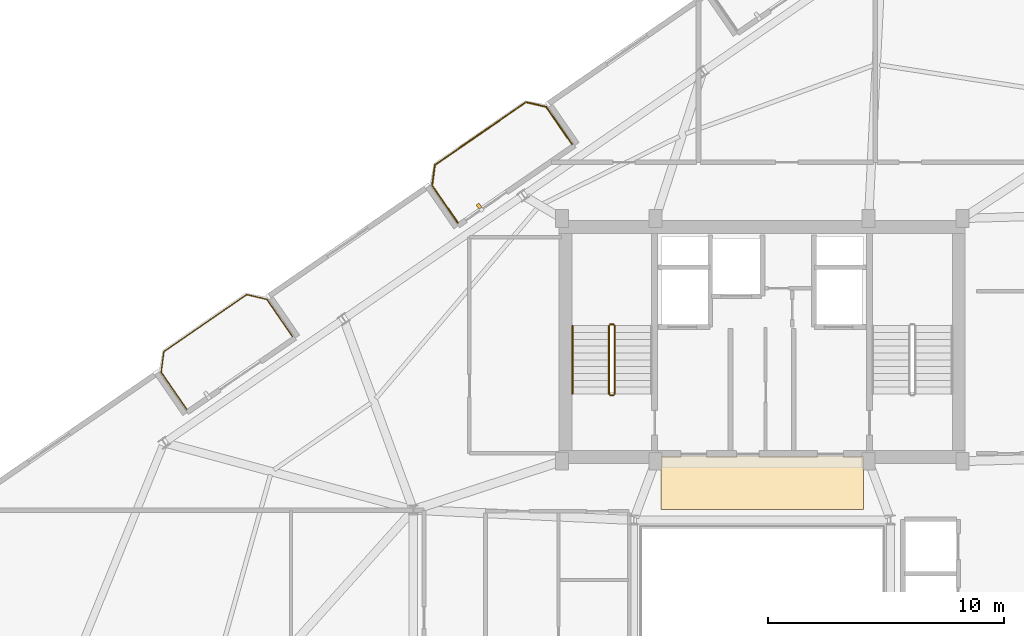
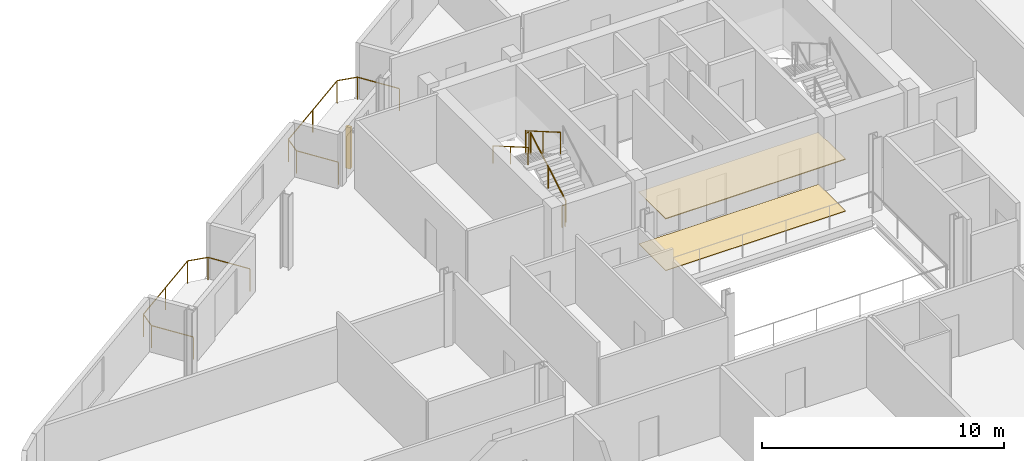
# One storey, part 20 of 21: 7 railings, 2 coverings, 1 shading device.
"""IFC4 building model written with IfcOpenShell, lengths in metres."""

from ifc_helpers import new_model, si_unit, direction, frame, origin, origin_2d, place, context, subcontext, project, spatial, rectangle, circle, extrude, source, transform, mapped, material, layer, layer_set, type_object, element, save


model = new_model("IFC4")

# Units and contexts
model_context = context("Model", 3, precision=1e-05, world=origin(), true_north=direction((0.0, 1.0)))
body_context = subcontext(model_context, "Body", "Model", "MODEL_VIEW")
ifc_project = project(units=[si_unit("LENGTHUNIT", "METRE"), si_unit("AREAUNIT", "SQUARE_METRE"), si_unit("VOLUMEUNIT", "CUBIC_METRE"), si_unit("PLANEANGLEUNIT", "RADIAN"), si_unit("MASSUNIT", "GRAM", prefix="KILO")], contexts=[model_context])

# Site, building, storey
site_placement = place(None, origin())
site = spatial("IfcSite", under=ifc_project, at=site_placement, CompositionType="ELEMENT")
building_placement = place(site_placement, origin())
building = spatial("IfcBuilding", under=site, at=building_placement, Name="Varnelok Gate Tower", CompositionType="ELEMENT")
storey_placement = place(building_placement, frame((0.0, 0.0, 265.60009765625)))
storey = spatial("IfcBuildingStorey", under=building, at=storey_placement, Name="L68", CompositionType="ELEMENT", Elevation=265.60009765625)

# Railings
ifc_material_1 = material(Name="Low-E Laminated Double Glazing IGU", Category="glass")
railing_type_1 = type_object("IfcRailingType", Name="RL-BALC-1150", PredefinedType="BALUSTRADE", material=ifc_material_1)
railing_1_placement = place(storey_placement, frame((14.781982421875, 30.944580078125, 0.0)))
element("IfcRailing", 1, at=railing_1_placement, inside=storey, type_object=railing_type_1, Name="L68 North Terrace Balustrade 4", PredefinedType="BALUSTRADE", context=body_context, shape_type="SweptSolid", body=[
    extrude(circle(Radius=0.02392578125, at=origin_2d()), frame((0.0, 0.0, 1.1259765625), z_axis=(-0.567284155424, 0.82352212296, 0.0), x_axis=(-0.82352212296, -0.567284155424, 0.0)), (0.0, 0.0, 1.0), 1.919921875),
    extrude(circle(Radius=0.02392578125, at=origin_2d()), frame((-1.089111328125, 1.5810546875, 1.1259765625), z_axis=(0.133475040405, 0.991052175008, 0.0), x_axis=(-0.991052175008, 0.133475040405, 0.0)), (0.0, 0.0, 1.0), 0.8779296875),
    extrude(circle(Radius=0.02392578125, at=origin_2d()), frame((-0.971923828125, 2.451171875, 1.1259765625), z_axis=(0.82355749358, 0.567232804735, 0.0), x_axis=(-0.567232804735, 0.82355749358, 0.0)), (0.0, 0.0, 1.0), 4.26708984375),
    extrude(circle(Radius=0.02392578125, at=origin_2d()), frame((2.542236328125, 4.87158203125, 1.1259765625), z_axis=(0.973511928193, -0.228636229993, 0.0), x_axis=(0.228636229993, 0.973511928193, 0.0)), (0.0, 0.0, 1.0), 0.877685546875),
    extrude(circle(Radius=0.02392578125, at=origin_2d()), frame((3.396728515625, 4.6708984375, 1.1259765625), z_axis=(0.567284155424, -0.82352212296, 0.0), x_axis=(0.82352212296, 0.567284155424, 0.0)), (0.0, 0.0, 1.0), 1.919921875),
    extrude(circle(Radius=0.02099609375, at=origin_2d()), origin(), (0.0, 0.0, 1.0), 1.101806640625),
    extrude(circle(Radius=0.02099609375, at=origin_2d()), frame((-1.089111328125, 1.5810546875, 0.0)), (0.0, 0.0, 1.0), 1.101806640625),
    extrude(circle(Radius=0.02099609375, at=origin_2d()), frame((-0.971923828125, 2.451171875, 0.0)), (0.0, 0.0, 1.0), 1.101806640625),
    extrude(circle(Radius=0.02099609375, at=origin_2d()), frame((0.78515625, 3.661376953125, 0.0)), (0.0, 0.0, 1.0), 1.101806640625),
    extrude(circle(Radius=0.02099609375, at=origin_2d()), frame((2.542236328125, 4.87158203125, 0.0)), (0.0, 0.0, 1.0), 1.101806640625),
    extrude(circle(Radius=0.02099609375, at=origin_2d()), frame((3.396728515625, 4.6708984375, 0.0)), (0.0, 0.0, 1.0), 1.101806640625),
    extrude(circle(Radius=0.02099609375, at=origin_2d()), frame((4.48583984375, 3.08984375, 0.0)), (0.0, 0.0, 1.0), 1.101806640625),
])
railing_2_placement = place(storey_placement, frame((26.2841796875, 38.86767578125, 0.0)))
element("IfcRailing", 2, at=railing_2_placement, inside=storey, type_object=railing_type_1, Name="L68 North Terrace Balustrade 5", PredefinedType="BALUSTRADE", context=body_context, shape_type="SweptSolid", body=[
    extrude(circle(Radius=0.02392578125, at=origin_2d()), frame((0.0, 0.0, 1.1259765625), z_axis=(-0.567197904061, 0.82358153065, 0.0), x_axis=(-0.82358153065, -0.567197904061, 0.0)), (0.0, 0.0, 1.0), 1.919677734375),
    extrude(circle(Radius=0.02392578125, at=origin_2d()), frame((-1.0888671875, 1.5810546875, 1.1259765625), z_axis=(0.133238627421, 0.991083986433, 0.0), x_axis=(-0.991083986433, 0.133238627421, 0.0)), (0.0, 0.0, 1.0), 0.877685546875),
    extrude(circle(Radius=0.02392578125, at=origin_2d()), frame((-0.971923828125, 2.450927734375, 1.1259765625), z_axis=(0.823523239622, 0.567282534371, 0.0), x_axis=(-0.567282534371, 0.823523239622, 0.0)), (0.0, 0.0, 1.0), 4.699951171875),
    extrude(circle(Radius=0.02392578125, at=origin_2d()), frame((2.898681640625, 5.1171875, 1.1259765625), z_axis=(0.973526462254, -0.228574336467, 0.0), x_axis=(0.228574336467, 0.973526462254, 0.0)), (0.0, 0.0, 1.0), 0.8779296875),
    extrude(circle(Radius=0.02392578125, at=origin_2d()), frame((3.75341796875, 4.91650390625, 1.1259765625), z_axis=(0.567284155424, -0.82352212296, 0.0), x_axis=(0.82352212296, 0.567284155424, 0.0)), (0.0, 0.0, 1.0), 1.919921875),
    extrude(circle(Radius=0.02099609375, at=origin_2d()), origin(), (0.0, 0.0, 1.0), 1.101806640625),
    extrude(circle(Radius=0.02099609375, at=origin_2d()), frame((-1.0888671875, 1.5810546875, 0.0)), (0.0, 0.0, 1.0), 1.101806640625),
    extrude(circle(Radius=0.02099609375, at=origin_2d()), frame((-0.971923828125, 2.450927734375, 0.0)), (0.0, 0.0, 1.0), 1.101806640625),
    extrude(circle(Radius=0.02099609375, at=origin_2d()), frame((0.96337890625, 3.7841796875, 0.0)), (0.0, 0.0, 1.0), 1.101806640625),
    extrude(circle(Radius=0.02099609375, at=origin_2d()), frame((2.898681640625, 5.1171875, 0.0)), (0.0, 0.0, 1.0), 1.101806640625),
    extrude(circle(Radius=0.02099609375, at=origin_2d()), frame((3.75341796875, 4.91650390625, 0.0)), (0.0, 0.0, 1.0), 1.101806640625),
    extrude(circle(Radius=0.02099609375, at=origin_2d()), frame((4.842529296875, 3.33544921875, 0.0)), (0.0, 0.0, 1.0), 1.101806640625),
])
ifc_material_2 = material(Name="Brushed Stainless Steel AISI 316", Category="steel")
railing_type_2 = type_object("IfcRailingType", Name="RL-HANDRAIL-900", PredefinedType="HANDRAIL", material=ifc_material_2)
railing_3_placement = place(storey_placement, frame((31.14990234375, 34.5, 2.01806640625)))
element("IfcRailing", 3, at=railing_3_placement, inside=storey, type_object=railing_type_2, Name="L68 ST-1 stair handrail 2", PredefinedType="HANDRAIL", context=body_context, shape_type="SweptSolid", body=[
    extrude(circle(Radius=0.02392578125, at=origin_2d()), frame((0.0, 0.0, 0.8759765625), z_axis=(0.0, -0.865038774852, 0.501705010941), x_axis=(1.0, 0.0, 0.0)), (0.0, 0.0, 1.0), 3.352294921875),
    extrude(circle(Radius=0.02099609375, at=origin_2d()), origin(), (0.0, 0.0, 1.0), 0.851806640625),
    extrude(circle(Radius=0.02099609375, at=origin_2d()), frame((0.0, -1.449951171875, 0.8408203125)), (0.0, 0.0, 1.0), 0.851806640625),
    extrude(circle(Radius=0.02099609375, at=origin_2d()), frame((0.0, -2.89990234375, 1.681884765625)), (0.0, 0.0, 1.0), 0.851806640625),
])
ifc_material_3 = material(Name="Galvanized Steel Grade S350GD", Category="steel")
railing_type_3 = type_object("IfcRailingType", Name="RL-STAIR-GUARD1120", PredefinedType="GUARDRAIL", material=ifc_material_3)
railing_4_placement = place(storey_placement, frame((32.949951171875, 31.60009765625, 0.16796875)))
element("IfcRailing", 4, at=railing_4_placement, inside=storey, type_object=railing_type_3, Name="L68 ST-1 stair guard 1", PredefinedType="GUARDRAIL", context=body_context, shape_type="SweptSolid", body=[
    extrude(circle(Radius=0.02392578125, at=origin_2d()), frame((0.0, 0.0, 1.09619140625), z_axis=(0.0, 0.865038774852, 0.501705010941), x_axis=(-1.0, 0.0, 0.0)), (0.0, 0.0, 1.0), 3.352294921875),
    extrude(circle(Radius=0.02099609375, at=origin_2d()), origin(), (0.0, 0.0, 1.0), 1.072021484375),
    extrude(circle(Radius=0.02099609375, at=origin_2d()), frame((0.0, 1.449951171875, 0.8408203125)), (0.0, 0.0, 1.0), 1.072021484375),
    extrude(circle(Radius=0.02099609375, at=origin_2d()), frame((0.0, 2.89990234375, 1.681884765625)), (0.0, 0.0, 1.0), 1.072021484375),
])
railing_5_placement = place(storey_placement, frame((32.89990234375, 34.550048828125, 1.849853515625)))
element("IfcRailing", 5, at=railing_5_placement, inside=storey, type_object=railing_type_3, Name="L68 ST-1 stair guard 2", PredefinedType="GUARDRAIL", context=body_context, shape_type="SweptSolid", body=[
    extrude(circle(Radius=0.02392578125, at=origin_2d()), frame((0.0, 0.0, 1.09619140625), z_axis=(-1.0, 0.0, 0.0), x_axis=(0.0, -1.0, 0.0)), (0.0, 0.0, 1.0), 0.14990234375),
    extrude(circle(Radius=0.02099609375, at=origin_2d()), origin(), (0.0, 0.0, 1.0), 1.072021484375),
    extrude(circle(Radius=0.02099609375, at=origin_2d()), frame((-0.14990234375, 0.0, 0.0)), (0.0, 0.0, 1.0), 1.072021484375),
])
railing_6_placement = place(storey_placement, frame((32.699951171875, 34.5, 2.01806640625)))
element("IfcRailing", 6, at=railing_6_placement, inside=storey, type_object=railing_type_3, Name="L68 ST-1 stair guard 3", PredefinedType="GUARDRAIL", context=body_context, shape_type="SweptSolid", body=[
    extrude(circle(Radius=0.02392578125, at=origin_2d()), frame((0.0, 0.0, 1.09619140625), z_axis=(0.0, -0.865038774852, 0.501705010941), x_axis=(1.0, 0.0, 0.0)), (0.0, 0.0, 1.0), 3.352294921875),
    extrude(circle(Radius=0.02099609375, at=origin_2d()), origin(), (0.0, 0.0, 1.0), 1.072021484375),
    extrude(circle(Radius=0.02099609375, at=origin_2d()), frame((0.0, -1.449951171875, 0.8408203125)), (0.0, 0.0, 1.0), 1.072021484375),
    extrude(circle(Radius=0.02099609375, at=origin_2d()), frame((0.0, -2.89990234375, 1.681884765625)), (0.0, 0.0, 1.0), 1.072021484375),
])
railing_7_placement = place(storey_placement, frame((32.89990234375, 31.550048828125, 0.0)))
element("IfcRailing", 7, at=railing_7_placement, inside=storey, type_object=railing_type_3, Name="L68 ST-1 stair guard 4", PredefinedType="GUARDRAIL", context=body_context, shape_type="SweptSolid", body=[
    extrude(circle(Radius=0.02392578125, at=origin_2d()), frame((0.0, 0.0, 1.09619140625), z_axis=(-1.0, 0.0, 0.0), x_axis=(0.0, -1.0, 0.0)), (0.0, 0.0, 1.0), 0.14990234375),
    extrude(circle(Radius=0.02099609375, at=origin_2d()), origin(), (0.0, 0.0, 1.0), 1.072021484375),
    extrude(circle(Radius=0.02099609375, at=origin_2d()), frame((-0.14990234375, 0.0, 0.0)), (0.0, 0.0, 1.0), 1.072021484375),
])

# Shading device
ifc_material_4 = material(Name="Glazed Architectural Terracotta Ceramic", Category="masonry")
shading_device_type = type_object("IfcShadingDeviceType", Name="SHD-TERRA-BAGUETTE", PredefinedType="USERDEFINED", material=ifc_material_4)
shared_shape_1 = source(origin(), body_context, "Body", "SweptSolid", [
    extrude(rectangle(XDim=0.139892578125, YDim=0.219970703125, at=origin_2d()), origin(), (0.0, 0.0, 1.0), 2.10009765625),
])
shading_device_placement = place(storey_placement, frame((27.18359375, 39.572021484375, 0.099853515625), z_axis=(0.0, 0.0, 1.0), x_axis=(0.823532597628, 0.567268949127, 0.0)))
element("IfcShadingDevice", 8, at=shading_device_placement, inside=storey, type_object=shading_device_type, Name="L68 Terracotta Ceramic Baguette Sunscreen 5.1", ObjectType="BAGUETTE", PredefinedType="USERDEFINED", context=body_context, shape_type="MappedRepresentation", body=[
    mapped(shared_shape_1, transform((0.0, 0.0, 0.0), scale=1.0)),
])

# Coverings
ifc_material_5 = material(Name="Honed Travertine Stone Flooring", Category="masonry")
ifc_layer_1 = layer(ifc_material_5, 0.02490234375)
ifc_layer_set_1 = layer_set([ifc_layer_1], Name="Honed Travertine Stone Flooring")
covering_type_1 = type_object("IfcCoveringType", Name="COV-FLOR-STONE", PredefinedType="FLOORING", material=ifc_layer_set_1)
shared_shape_2 = source(origin(), body_context, "Body", "SweptSolid", [
    extrude(rectangle(XDim=8.60009765625, YDim=2.219970703125, at=origin_2d()), origin(), (0.0, 0.0, 1.0), 0.02490234375),
])
covering_1_placement = place(storey_placement, frame((39.199951171875, 27.800048828125, 0.0), z_axis=(0.0, 0.0, 1.0), x_axis=(1.0, 0.0, 0.0)))
element("IfcCovering", 9, at=covering_1_placement, inside=storey, type_object=covering_type_1, Name="L68 Core Gallery Stone Flooring", PredefinedType="FLOORING", context=body_context, shape_type="MappedRepresentation", body=[
    mapped(shared_shape_2, transform((0.0, 0.0, 0.0), scale=1.0)),
])
ifc_material_6 = material(Name="Mineral Fiber Acoustic Ceiling Tile")
ifc_layer_2 = layer(ifc_material_6, 0.0400390625)
ifc_layer_set_2 = layer_set([ifc_layer_2], Name="Mineral Fiber Acoustic Ceiling Tile")
covering_type_2 = type_object("IfcCoveringType", Name="COV-CEIL-ACOUST", PredefinedType="CEILING", material=ifc_layer_set_2)
shared_shape_3 = source(origin(), body_context, "Body", "SweptSolid", [
    extrude(rectangle(XDim=8.60009765625, YDim=2.239990234375, at=origin_2d()), origin(), (0.0, 0.0, 1.0), 0.0400390625),
])
covering_2_placement = place(storey_placement, frame((39.199951171875, 27.820068359375, 2.599853515625), z_axis=(0.0, 0.0, 1.0), x_axis=(1.0, 0.0, 0.0)))
element("IfcCovering", 10, at=covering_2_placement, inside=storey, type_object=covering_type_2, Name="L68 Core Gallery Acoustic Ceiling", PredefinedType="CEILING", context=body_context, shape_type="MappedRepresentation", body=[
    mapped(shared_shape_3, transform((0.0, 0.0, 0.0), scale=1.0)),
])

save(model, "model.ifc")
